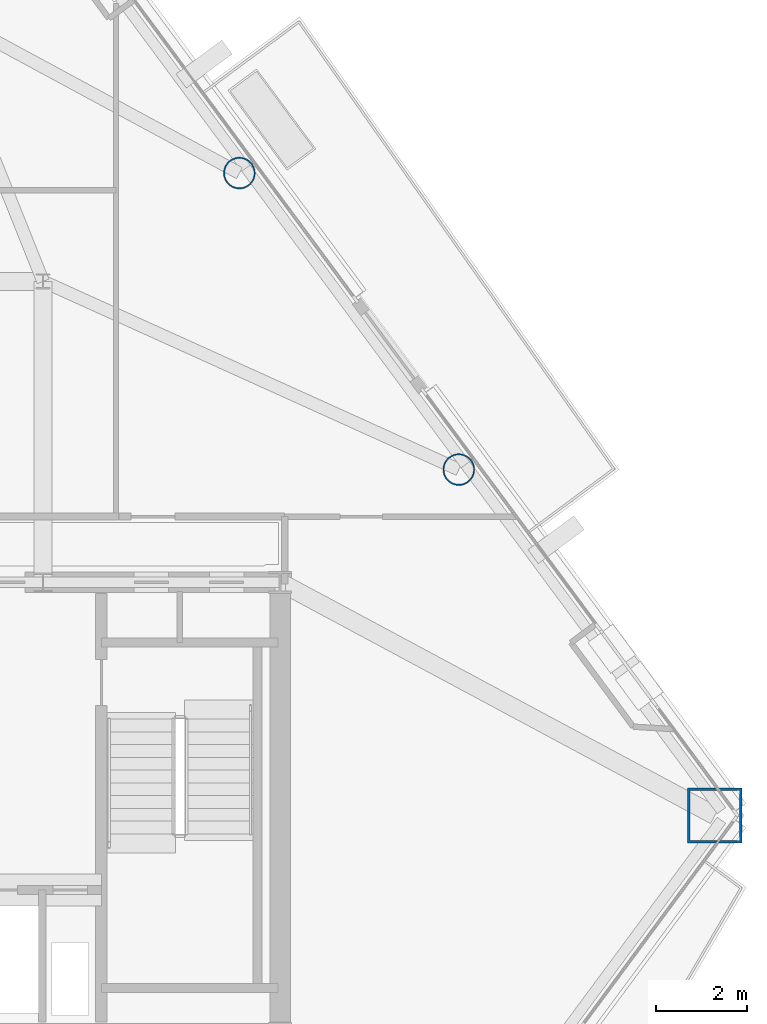
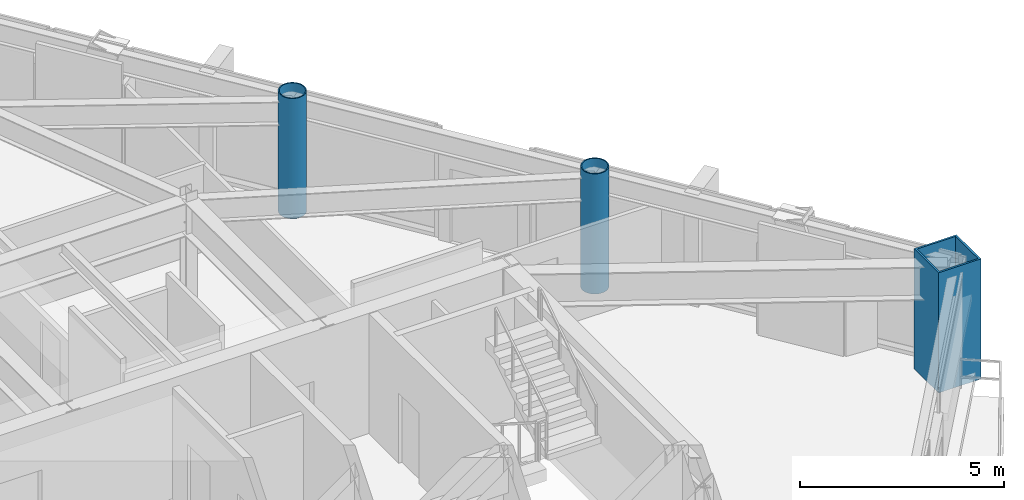
# One storey, part 2 of 11: 3 columns.
"""IFC4 building model written with IfcOpenShell, lengths in metres."""

import ifcopenshell
import ifcopenshell.guid

model = None  # the IFC model being written
_history = None  # IfcOwnerHistory: only IFC2X3 demands one
_inside = {}  # id of a spatial element -> (the spatial element, [elements in it])
_under = {}  # id of a project, library or spatial element -> (it, [spatial elements below it])
_declared = {}  # id of a project -> (the project, [libraries it declares])
_typed = {}  # id of a type object -> (the type object, [elements of that type])
_made_of = {}  # id of a material, layer set ... -> (it, [elements and type objects made of it])


def new_model(schema):
    """Start an empty IFC model of exactly this schema.

    Asked for "IFC4X3", IfcOpenShell would pick the latest addendum, in which some entities
    have other attributes; the version numbers below select the first issue.
    IFC2X3 requires an IfcOwnerHistory on every rooted entity: one is made here for all.
    """
    global model, _history
    if schema == "IFC4X3":
        model = ifcopenshell.file(schema_version=(4, 3, 0, 0))
    else:
        model = ifcopenshell.file(schema=schema)
    _inside.clear()
    _under.clear()
    _declared.clear()
    _typed.clear()
    _made_of.clear()
    _history = None
    if model.schema == "IFC2X3":
        org = make("IfcOrganization", Name="unknown")
        user = make(
            "IfcPersonAndOrganization",
            ThePerson=make("IfcPerson", FamilyName="unknown"),
            TheOrganization=org,
        )
        app = make(
            "IfcApplication",
            ApplicationDeveloper=org,
            Version="unknown",
            ApplicationFullName="unknown",
            ApplicationIdentifier="unknown",
        )
        _history = make(
            "IfcOwnerHistory",
            OwningUser=user,
            OwningApplication=app,
            ChangeAction="ADDED",
            CreationDate=0,
        )
    return model


def make(cls, **values):
    """One entity of the class cls with the attributes given. An attribute that is None is left unset."""
    return model.create_entity(
        cls, **{name: value for name, value in values.items() if value is not None}
    )


def rooted(cls, **values):
    """An entity with a GlobalId (a new one), such as an element, a storey or a relation."""
    return make(cls, GlobalId=ifcopenshell.guid.new(), OwnerHistory=_history, **values)


def si_unit(unit_type, name, prefix=None):
    """IfcSIUnit, for example si_unit("LENGTHUNIT", "METRE", prefix="MILLI")."""
    return make("IfcSIUnit", UnitType=unit_type, Prefix=prefix, Name=name)


def assignment(units):
    """IfcUnitAssignment: the units of a project."""
    return None if units is None else make("IfcUnitAssignment", Units=units)


def point(xyz):
    """IfcCartesianPoint."""
    return None if xyz is None else make("IfcCartesianPoint", Coordinates=xyz)


def direction(xyz):
    """IfcDirection."""
    return None if xyz is None else make("IfcDirection", DirectionRatios=xyz)


def frame(location, z_axis=None, x_axis=None):
    """IfcAxis2Placement3D, a coordinate frame: its origin and axes. An axis left out is left unset."""
    return make(
        "IfcAxis2Placement3D",
        Location=point(location),
        Axis=direction(z_axis),
        RefDirection=direction(x_axis),
    )


def frame_2d(location, x_axis=None):
    """IfcAxis2Placement2D, a coordinate frame in the plane: its origin and x axis."""
    return make(
        "IfcAxis2Placement2D", Location=point(location), RefDirection=direction(x_axis)
    )


def origin():
    """The frame at (0, 0, 0) with its axes left unset."""
    return frame((0.0, 0.0, 0.0))


def origin_2d():
    """The frame at (0, 0) in the plane with its x axis left unset."""
    return frame_2d((0.0, 0.0))


def place(relative_to, where):
    """IfcLocalPlacement: puts the frame where relative to a parent placement (None: the world)."""
    return make(
        "IfcLocalPlacement", PlacementRelTo=relative_to, RelativePlacement=where
    )


def context(
    kind, dimensions, precision=None, world=None, true_north=None, identifier=None
):
    """IfcGeometricRepresentationContext, for example the 3D "Model" context."""
    return make(
        "IfcGeometricRepresentationContext",
        ContextIdentifier=identifier,
        ContextType=kind,
        CoordinateSpaceDimension=dimensions,
        Precision=precision,
        WorldCoordinateSystem=world,
        TrueNorth=true_north,
    )


def subcontext(parent, identifier, kind, view, scale=None):
    """IfcGeometricRepresentationSubContext, for example "Body" below "Model"."""
    return make(
        "IfcGeometricRepresentationSubContext",
        ContextIdentifier=identifier,
        ContextType=kind,
        ParentContext=parent,
        TargetScale=scale,
        TargetView=view,
    )


def project(units=None, contexts=None):
    """IfcProject with its units and contexts."""
    return rooted(
        "IfcProject",
        Name="project",
        RepresentationContexts=contexts,
        UnitsInContext=assignment(units),
    )


def spatial(cls, under=None, at=None, **own):
    """A site, building, storey or space (cls), placed at a placement, below another one or the project."""
    s = rooted(cls, ObjectPlacement=at, **own)
    if under is not None:
        _under.setdefault(under.id(), (under, []))[1].append(s)
    return s


def profile(cls, at=None, kind="AREA", **sizes):
    """A parametric profile (cls). Its sizes go by their IFC names, for example OverallWidth=200.0."""
    return make(cls, ProfileType=kind, Position=at, **sizes)


def hollow_rectangle(**sizes):
    """IfcRectangleHollowProfileDef."""
    return profile("IfcRectangleHollowProfileDef", **sizes)


def hollow_circle(**sizes):
    """IfcCircleHollowProfileDef."""
    return profile("IfcCircleHollowProfileDef", **sizes)


def extrude(swept, where, along, depth):
    """IfcExtrudedAreaSolid: the profile swept, set in the frame where, extruded along a direction by depth."""
    return make(
        "IfcExtrudedAreaSolid",
        SweptArea=swept,
        Position=where,
        ExtrudedDirection=direction(along),
        Depth=depth,
    )


def shape(context_of_items, identifier, shape_type, items):
    """IfcShapeRepresentation: the items that make up one representation, for example the "Body"."""
    return make(
        "IfcShapeRepresentation",
        ContextOfItems=context_of_items,
        RepresentationIdentifier=identifier,
        RepresentationType=shape_type,
        Items=items,
    )


def material(Name=None, Category=None):
    """IfcMaterial."""
    return make("IfcMaterial", Name=Name, Category=Category)


def material_profile(
    of_material, cross_section, Name=None, Category=None, Priority=None
):
    """IfcMaterialProfile: a cross section and its material."""
    return make(
        "IfcMaterialProfile",
        Name=Name,
        Material=of_material,
        Profile=cross_section,
        Priority=Priority,
        Category=Category,
    )


def profile_set(profiles, Name=None, composite=None):
    """IfcMaterialProfileSet."""
    return make(
        "IfcMaterialProfileSet",
        Name=Name,
        MaterialProfiles=profiles,
        CompositeProfile=composite,
    )


def made_of(thing, what):
    """Note that an element or type object is made of a material, layer set ...; save() writes the relation."""
    if what is not None:
        _made_of.setdefault(what.id(), (what, []))[1].append(thing)
    return thing


def type_object(cls, material=None, **own):
    """A type object (cls), such as IfcWallType, which elements share."""
    return made_of(rooted(cls, **own), material)


def element(
    cls,
    number,
    at=None,
    inside=None,
    cuts=None,
    type_object=None,
    material=None,
    context=None,
    identifier="Body",
    shape_type=None,
    held_by="IfcProductDefinitionShape",
    body=None,
    shapes=None,
    **own,
):
    """One element of the class cls, such as IfcWall. Its Tag is "e" and its number.

    at: its placement. inside: the storey or other place that contains it. cuts: it is an
    opening in that element (IfcRelVoidsElement). A single representation is given by context,
    identifier, shape_type and body (its items); several are given by shapes. held_by: the class
    of the entity that holds the representations. save() writes the other relations.
    """
    e = rooted(cls, Tag="e%d" % number, ObjectPlacement=at, **own)
    if body is not None:
        shapes = [shape(context, identifier, shape_type, body)]
    if shapes is not None:
        e.Representation = make(held_by, Representations=shapes)
    if inside is not None:
        _inside.setdefault(inside.id(), (inside, []))[1].append(e)
    if cuts is not None:
        rooted(
            "IfcRelVoidsElement", RelatingBuildingElement=cuts, RelatedOpeningElement=e
        )
    if type_object is not None:
        _typed.setdefault(type_object.id(), (type_object, []))[1].append(e)
    return made_of(e, material)


def aggregate(whole, parts):
    """IfcRelAggregates: a whole, such as a stair, and the parts it consists of."""
    return rooted("IfcRelAggregates", RelatingObject=whole, RelatedObjects=parts)


def save(model, path):
    """Write the relations noted so far, then the file.

    IfcRelAggregates (storeys below a building ...), IfcRelContainedInSpatialStructure (elements
    in a storey), IfcRelDefinesByType, IfcRelAssociatesMaterial and IfcRelDeclares: one each for
    every whole, place, type object, material and project.
    """
    for whole, parts in _under.values():
        aggregate(whole, parts)
    for where, things in _inside.values():
        rooted(
            "IfcRelContainedInSpatialStructure",
            RelatedElements=things,
            RelatingStructure=where,
        )
    for kind, things in _typed.values():
        rooted("IfcRelDefinesByType", RelatedObjects=things, RelatingType=kind)
    for what, things in _made_of.values():
        rooted("IfcRelAssociatesMaterial", RelatedObjects=things, RelatingMaterial=what)
    for by, libraries in _declared.values():
        rooted("IfcRelDeclares", RelatingContext=by, RelatedDefinitions=libraries)
    model.write(path)


model = new_model("IFC4")

# Units and contexts
model_context = context("Model", 3, precision=1e-05, world=origin(), true_north=direction((0.0, 1.0)))
body_context = subcontext(model_context, "Body", "Model", "MODEL_VIEW")
ifc_project = project(units=[si_unit("LENGTHUNIT", "METRE"), si_unit("AREAUNIT", "SQUARE_METRE"), si_unit("VOLUMEUNIT", "CUBIC_METRE"), si_unit("PLANEANGLEUNIT", "RADIAN"), si_unit("MASSUNIT", "GRAM", prefix="KILO")], contexts=[model_context])

# Site, building, storey
site_placement = place(None, origin())
site = spatial("IfcSite", under=ifc_project, at=site_placement, CompositionType="ELEMENT")
building_placement = place(site_placement, origin())
building = spatial("IfcBuilding", under=site, at=building_placement, Name="Talgorran Terracotta Tower", CompositionType="ELEMENT")
storey_placement = place(building_placement, frame((0.0, 0.0, 103.199951171875)))
storey = spatial("IfcBuildingStorey", under=building, at=storey_placement, Name="L26", CompositionType="ELEMENT", Elevation=103.199951171875)

# Columns
ifc_material = material(Name="Steel Grade 350 (350L0)", Category="steel")
ifc_material_profile_1 = material_profile(ifc_material, hollow_rectangle(XDim=1.199951171875, YDim=1.199951171875, WallThickness=0.054931640625, at=origin_2d()), Name="CFT1200X1200X55")
ifc_profile_set_1 = profile_set([ifc_material_profile_1], Name="Steel Grade 350 (350L0)")
column_type_1 = type_object("IfcColumnType", Name="COL_CFT_1200", PredefinedType="COLUMN", material=ifc_profile_set_1)
column_placement = place(storey_placement, frame((21.934326171875, -9.315673828125, 0.0), z_axis=(0.0, 0.0, 1.0), x_axis=(1.0, 0.0, 0.0)))
element("IfcColumn", 1, at=column_placement, inside=storey, type_object=column_type_1, Name="L26 Corner CFT Mega-Column MC4", PredefinedType="COLUMN", context=body_context, shape_type="SweptSolid", body=[
    extrude(hollow_rectangle(XDim=1.199951171875, YDim=1.199951171875, WallThickness=0.054931640625, at=origin_2d()), origin(), (0.0, 0.0, 1.0), 3.60009765625),
])
ifc_material_profile_2 = material_profile(ifc_material, hollow_circle(Radius=0.35009765625, WallThickness=0.030029296875, at=origin_2d()), Name="CHS700X30")
ifc_profile_set_2 = profile_set([ifc_material_profile_2], Name="Steel Grade 350 (350L0)")
column_type_2 = type_object("IfcColumnType", Name="COL_CHS_700", PredefinedType="COLUMN", material=ifc_profile_set_2)
for number, where, z_axis, x_axis, name in (
    (2, (16.31884765625, -1.728515625, 0.0), (0.0, 0.0, 1.0), (1.0, 0.0, 0.0), "L26 Facet Perimeter Column FC3"),
    (3, (11.505615234375, 4.77490234375, 0.0), (0.0, 0.0, 1.0), (1.0, 0.0, 0.0), "L26 Facet Perimeter Column FC4"),
):
    element("IfcColumn", number, at=place(storey_placement, frame(where, z_axis=z_axis, x_axis=x_axis)), inside=storey, type_object=column_type_2, Name=name, PredefinedType="COLUMN", context=body_context, shape_type="SweptSolid", body=[
        extrude(hollow_circle(Radius=0.35009765625, WallThickness=0.030029296875, at=origin_2d()), origin(), (0.0, 0.0, 1.0), 3.60009765625),
    ])

save(model, "model.ifc")
